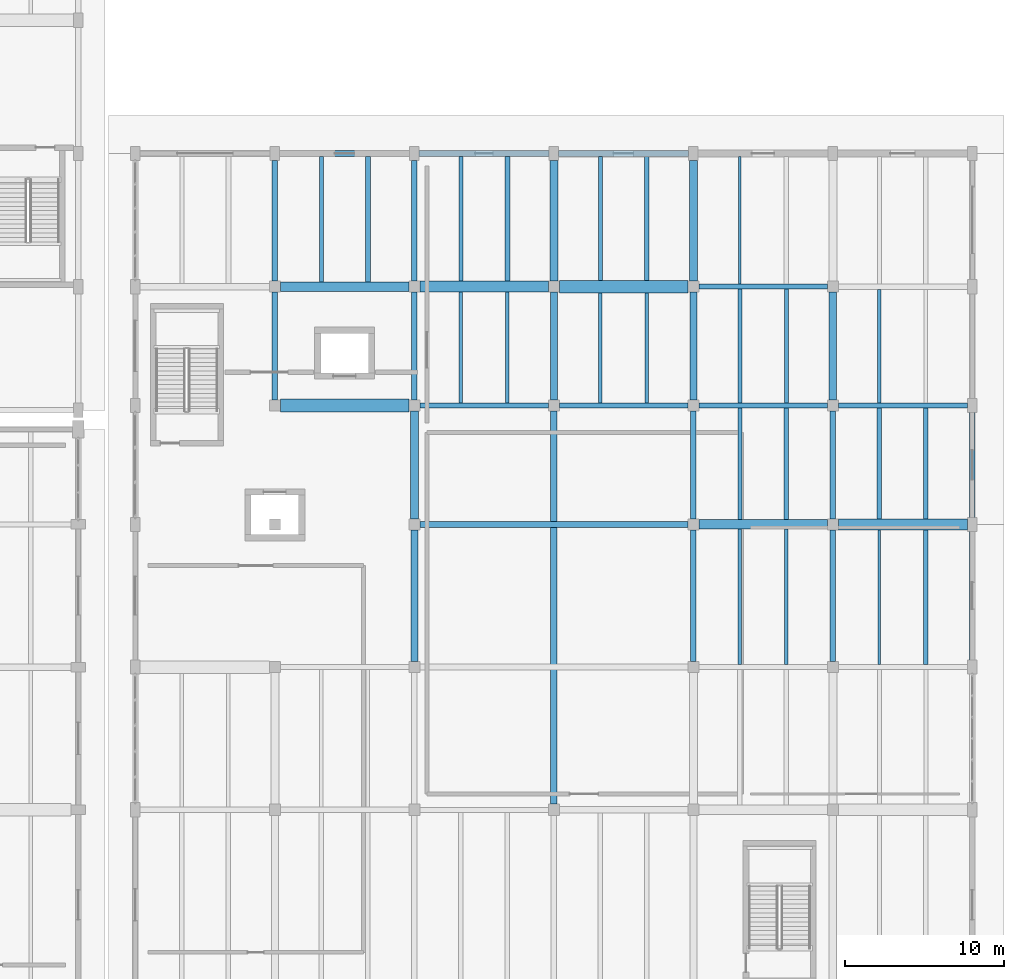
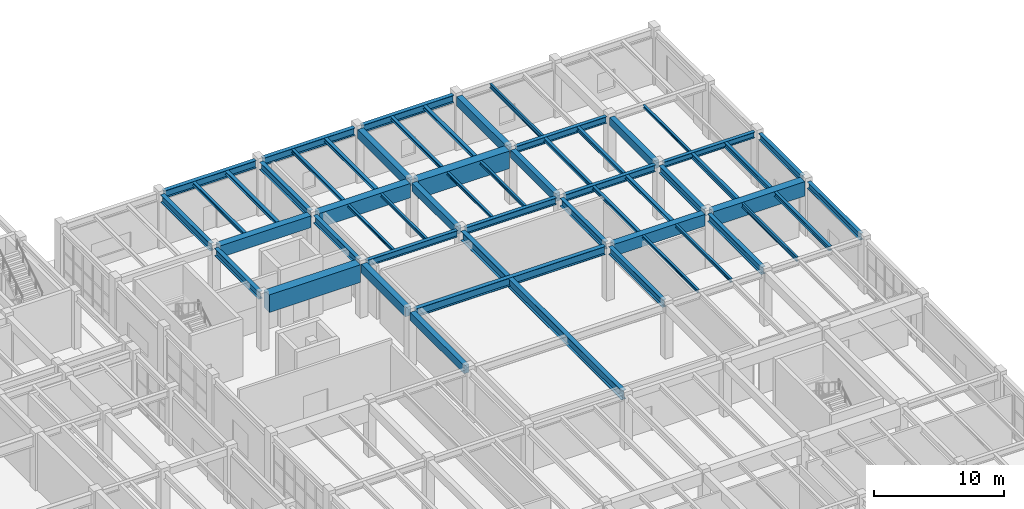
# One storey, part 59 of 91: 55 beams.
"""IFC4 building model written with IfcOpenShell, lengths in metres."""

import ifcopenshell
import ifcopenshell.guid

model = None  # the IFC model being written
_history = None  # IfcOwnerHistory: only IFC2X3 demands one
_inside = {}  # id of a spatial element -> (the spatial element, [elements in it])
_under = {}  # id of a project, library or spatial element -> (it, [spatial elements below it])
_declared = {}  # id of a project -> (the project, [libraries it declares])
_typed = {}  # id of a type object -> (the type object, [elements of that type])
_made_of = {}  # id of a material, layer set ... -> (it, [elements and type objects made of it])


def new_model(schema):
    """Start an empty IFC model of exactly this schema.

    Asked for "IFC4X3", IfcOpenShell would pick the latest addendum, in which some entities
    have other attributes; the version numbers below select the first issue.
    IFC2X3 requires an IfcOwnerHistory on every rooted entity: one is made here for all.
    """
    global model, _history
    if schema == "IFC4X3":
        model = ifcopenshell.file(schema_version=(4, 3, 0, 0))
    else:
        model = ifcopenshell.file(schema=schema)
    _inside.clear()
    _under.clear()
    _declared.clear()
    _typed.clear()
    _made_of.clear()
    _history = None
    if model.schema == "IFC2X3":
        org = make("IfcOrganization", Name="unknown")
        user = make(
            "IfcPersonAndOrganization",
            ThePerson=make("IfcPerson", FamilyName="unknown"),
            TheOrganization=org,
        )
        app = make(
            "IfcApplication",
            ApplicationDeveloper=org,
            Version="unknown",
            ApplicationFullName="unknown",
            ApplicationIdentifier="unknown",
        )
        _history = make(
            "IfcOwnerHistory",
            OwningUser=user,
            OwningApplication=app,
            ChangeAction="ADDED",
            CreationDate=0,
        )
    return model


def make(cls, **values):
    """One entity of the class cls with the attributes given. An attribute that is None is left unset."""
    return model.create_entity(
        cls, **{name: value for name, value in values.items() if value is not None}
    )


def rooted(cls, **values):
    """An entity with a GlobalId (a new one), such as an element, a storey or a relation."""
    return make(cls, GlobalId=ifcopenshell.guid.new(), OwnerHistory=_history, **values)


def si_unit(unit_type, name, prefix=None):
    """IfcSIUnit, for example si_unit("LENGTHUNIT", "METRE", prefix="MILLI")."""
    return make("IfcSIUnit", UnitType=unit_type, Prefix=prefix, Name=name)


def assignment(units):
    """IfcUnitAssignment: the units of a project."""
    return None if units is None else make("IfcUnitAssignment", Units=units)


def point(xyz):
    """IfcCartesianPoint."""
    return None if xyz is None else make("IfcCartesianPoint", Coordinates=xyz)


def direction(xyz):
    """IfcDirection."""
    return None if xyz is None else make("IfcDirection", DirectionRatios=xyz)


def frame(location, z_axis=None, x_axis=None):
    """IfcAxis2Placement3D, a coordinate frame: its origin and axes. An axis left out is left unset."""
    return make(
        "IfcAxis2Placement3D",
        Location=point(location),
        Axis=direction(z_axis),
        RefDirection=direction(x_axis),
    )


def frame_2d(location, x_axis=None):
    """IfcAxis2Placement2D, a coordinate frame in the plane: its origin and x axis."""
    return make(
        "IfcAxis2Placement2D", Location=point(location), RefDirection=direction(x_axis)
    )


def origin():
    """The frame at (0, 0, 0) with its axes left unset."""
    return frame((0.0, 0.0, 0.0))


def origin_2d():
    """The frame at (0, 0) in the plane with its x axis left unset."""
    return frame_2d((0.0, 0.0))


def place(relative_to, where):
    """IfcLocalPlacement: puts the frame where relative to a parent placement (None: the world)."""
    return make(
        "IfcLocalPlacement", PlacementRelTo=relative_to, RelativePlacement=where
    )


def context(
    kind, dimensions, precision=None, world=None, true_north=None, identifier=None
):
    """IfcGeometricRepresentationContext, for example the 3D "Model" context."""
    return make(
        "IfcGeometricRepresentationContext",
        ContextIdentifier=identifier,
        ContextType=kind,
        CoordinateSpaceDimension=dimensions,
        Precision=precision,
        WorldCoordinateSystem=world,
        TrueNorth=true_north,
    )


def subcontext(parent, identifier, kind, view, scale=None):
    """IfcGeometricRepresentationSubContext, for example "Body" below "Model"."""
    return make(
        "IfcGeometricRepresentationSubContext",
        ContextIdentifier=identifier,
        ContextType=kind,
        ParentContext=parent,
        TargetScale=scale,
        TargetView=view,
    )


def project(units=None, contexts=None):
    """IfcProject with its units and contexts."""
    return rooted(
        "IfcProject",
        Name="project",
        RepresentationContexts=contexts,
        UnitsInContext=assignment(units),
    )


def spatial(cls, under=None, at=None, **own):
    """A site, building, storey or space (cls), placed at a placement, below another one or the project."""
    s = rooted(cls, ObjectPlacement=at, **own)
    if under is not None:
        _under.setdefault(under.id(), (under, []))[1].append(s)
    return s


def profile(cls, at=None, kind="AREA", **sizes):
    """A parametric profile (cls). Its sizes go by their IFC names, for example OverallWidth=200.0."""
    return make(cls, ProfileType=kind, Position=at, **sizes)


def rectangle(**sizes):
    """IfcRectangleProfileDef."""
    return profile("IfcRectangleProfileDef", **sizes)


def i_section(**sizes):
    """IfcIShapeProfileDef."""
    return profile("IfcIShapeProfileDef", **sizes)


def extrude(swept, where, along, depth):
    """IfcExtrudedAreaSolid: the profile swept, set in the frame where, extruded along a direction by depth."""
    return make(
        "IfcExtrudedAreaSolid",
        SweptArea=swept,
        Position=where,
        ExtrudedDirection=direction(along),
        Depth=depth,
    )


def shape(context_of_items, identifier, shape_type, items):
    """IfcShapeRepresentation: the items that make up one representation, for example the "Body"."""
    return make(
        "IfcShapeRepresentation",
        ContextOfItems=context_of_items,
        RepresentationIdentifier=identifier,
        RepresentationType=shape_type,
        Items=items,
    )


def material(Name=None, Category=None):
    """IfcMaterial."""
    return make("IfcMaterial", Name=Name, Category=Category)


def material_profile(
    of_material, cross_section, Name=None, Category=None, Priority=None
):
    """IfcMaterialProfile: a cross section and its material."""
    return make(
        "IfcMaterialProfile",
        Name=Name,
        Material=of_material,
        Profile=cross_section,
        Priority=Priority,
        Category=Category,
    )


def profile_set(profiles, Name=None, composite=None):
    """IfcMaterialProfileSet."""
    return make(
        "IfcMaterialProfileSet",
        Name=Name,
        MaterialProfiles=profiles,
        CompositeProfile=composite,
    )


def made_of(thing, what):
    """Note that an element or type object is made of a material, layer set ...; save() writes the relation."""
    if what is not None:
        _made_of.setdefault(what.id(), (what, []))[1].append(thing)
    return thing


def type_object(cls, material=None, **own):
    """A type object (cls), such as IfcWallType, which elements share."""
    return made_of(rooted(cls, **own), material)


def element(
    cls,
    number,
    at=None,
    inside=None,
    cuts=None,
    type_object=None,
    material=None,
    context=None,
    identifier="Body",
    shape_type=None,
    held_by="IfcProductDefinitionShape",
    body=None,
    shapes=None,
    **own,
):
    """One element of the class cls, such as IfcWall. Its Tag is "e" and its number.

    at: its placement. inside: the storey or other place that contains it. cuts: it is an
    opening in that element (IfcRelVoidsElement). A single representation is given by context,
    identifier, shape_type and body (its items); several are given by shapes. held_by: the class
    of the entity that holds the representations. save() writes the other relations.
    """
    e = rooted(cls, Tag="e%d" % number, ObjectPlacement=at, **own)
    if body is not None:
        shapes = [shape(context, identifier, shape_type, body)]
    if shapes is not None:
        e.Representation = make(held_by, Representations=shapes)
    if inside is not None:
        _inside.setdefault(inside.id(), (inside, []))[1].append(e)
    if cuts is not None:
        rooted(
            "IfcRelVoidsElement", RelatingBuildingElement=cuts, RelatedOpeningElement=e
        )
    if type_object is not None:
        _typed.setdefault(type_object.id(), (type_object, []))[1].append(e)
    return made_of(e, material)


def aggregate(whole, parts):
    """IfcRelAggregates: a whole, such as a stair, and the parts it consists of."""
    return rooted("IfcRelAggregates", RelatingObject=whole, RelatedObjects=parts)


def save(model, path):
    """Write the relations noted so far, then the file.

    IfcRelAggregates (storeys below a building ...), IfcRelContainedInSpatialStructure (elements
    in a storey), IfcRelDefinesByType, IfcRelAssociatesMaterial and IfcRelDeclares: one each for
    every whole, place, type object, material and project.
    """
    for whole, parts in _under.values():
        aggregate(whole, parts)
    for where, things in _inside.values():
        rooted(
            "IfcRelContainedInSpatialStructure",
            RelatedElements=things,
            RelatingStructure=where,
        )
    for kind, things in _typed.values():
        rooted("IfcRelDefinesByType", RelatedObjects=things, RelatingType=kind)
    for what, things in _made_of.values():
        rooted("IfcRelAssociatesMaterial", RelatedObjects=things, RelatingMaterial=what)
    for by, libraries in _declared.values():
        rooted("IfcRelDeclares", RelatingContext=by, RelatedDefinitions=libraries)
    model.write(path)


model = new_model("IFC4")

# Units and contexts
model_context = context("Model", 3, precision=1e-05, world=origin(), true_north=direction((0.0, 1.0)))
body_context = subcontext(model_context, "Body", "Model", "MODEL_VIEW")
ifc_project = project(units=[si_unit("LENGTHUNIT", "METRE"), si_unit("AREAUNIT", "SQUARE_METRE"), si_unit("VOLUMEUNIT", "CUBIC_METRE"), si_unit("PLANEANGLEUNIT", "RADIAN"), si_unit("MASSUNIT", "GRAM", prefix="KILO")], contexts=[model_context])

# Site, building, storey
site_placement = place(None, origin())
site = spatial("IfcSite", under=ifc_project, at=site_placement, CompositionType="ELEMENT")
building_placement = place(site_placement, origin())
building = spatial("IfcBuilding", under=site, at=building_placement, Name="Vaelkrest Opera House", CompositionType="ELEMENT")
storey_placement = place(building_placement, origin())
storey = spatial("IfcBuildingStorey", under=building, at=storey_placement, Name="L00", CompositionType="ELEMENT", Elevation=0.0)

# Beams
ifc_material_1 = material(Name="Concrete C50/60", Category="concrete")
ifc_material_profile_1 = material_profile(ifc_material_1, rectangle(XDim=0.449951171875, YDim=0.75, at=origin_2d()), Name="RCB450X750")
ifc_profile_set_1 = profile_set([ifc_material_profile_1], Name="Concrete C50/60")
beam_type_1 = type_object("IfcBeamType", Name="B02", PredefinedType="BEAM", material=ifc_profile_set_1)
beam_1_placement = place(storey_placement, frame((51.199951171875, 1.550048828125, 4.705078125), z_axis=(0.0, 1.0, 0.0), x_axis=(-1.0, 0.0, 0.0)))
element("IfcBeam", 1, at=beam_1_placement, inside=storey, type_object=beam_type_1, Name="Beam BM-V4-L00-2011", PredefinedType="BEAM", context=body_context, shape_type="SweptSolid", body=[
    extrude(rectangle(XDim=0.449951171875, YDim=0.75, at=origin_2d()), origin(), (0.0, 0.0, 1.0), 8.300048828125),
])
for number, where, z_axis, x_axis, name in (
    (2, (60.0, 18.050048828125, 4.705078125), (0.0, 1.0, 0.0), (-1.0, 0.0, 0.0), "Beam BM-V4-L00-2019"),
    (3, (68.800048828125, 18.050048828125, 4.705078125), (0.0, 1.0, 0.0), (-1.0, 0.0, 0.0), "Beam BM-V4-L00-2027"),
    (4, (77.60009765625, 18.050048828125, 4.705078125), (0.0, 1.0, 0.0), (-1.0, 0.0, 0.0), "Beam BM-V4-L00-2035"),
):
    element("IfcBeam", number, at=place(storey_placement, frame(where, z_axis=z_axis, x_axis=x_axis)), inside=storey, type_object=beam_type_1, Name=name, PredefinedType="BEAM", context=body_context, shape_type="SweptSolid", body=[
        extrude(rectangle(XDim=0.449951171875, YDim=0.75, at=origin_2d()), origin(), (0.0, 0.0, 1.0), 6.800048828125),
    ])
ifc_material_profile_2 = material_profile(ifc_material_1, rectangle(XDim=0.5, YDim=0.85009765625, at=origin_2d()), Name="RCB500X850")
ifc_profile_set_2 = profile_set([ifc_material_profile_2], Name="Concrete C50/60")
beam_type_2 = type_object("IfcBeamType", Name="B03", PredefinedType="BEAM", material=ifc_profile_set_2)
beam_2_placement = place(storey_placement, frame((51.199951171875, 10.550048828125, 4.655029296875), z_axis=(0.0, 1.0, 0.0), x_axis=(-1.0, 0.0, 0.0)))
element("IfcBeam", 5, at=beam_2_placement, inside=storey, type_object=beam_type_2, Name="Beam BM-V4-L00-2012", PredefinedType="BEAM", context=body_context, shape_type="SweptSolid", body=[
    extrude(rectangle(XDim=0.5, YDim=0.85009765625, at=origin_2d()), origin(), (0.0, 0.0, 1.0), 6.800048828125),
])
for number, where, z_axis, x_axis, name in (
    (6, (60.0, 25.550048828125, 4.655029296875), (0.0, 1.0, 0.0), (-1.0, 0.0, 0.0), "Beam BM-V4-L00-2020"),
    (7, (68.800048828125, 25.550048828125, 4.655029296875), (0.0, 1.0, 0.0), (-1.0, 0.0, 0.0), "Beam BM-V4-L00-2028"),
):
    element("IfcBeam", number, at=place(storey_placement, frame(where, z_axis=z_axis, x_axis=x_axis)), inside=storey, type_object=beam_type_2, Name=name, PredefinedType="BEAM", context=body_context, shape_type="SweptSolid", body=[
        extrude(rectangle(XDim=0.5, YDim=0.85009765625, at=origin_2d()), origin(), (0.0, 0.0, 1.0), 7.599853515625),
    ])
ifc_material_profile_3 = material_profile(ifc_material_1, rectangle(XDim=0.60009765625, YDim=1.10009765625, at=origin_2d()), Name="RCB600X1100")
ifc_profile_set_3 = profile_set([ifc_material_profile_3], Name="Concrete C50/60")
beam_type_3 = type_object("IfcBeamType", Name="B05", PredefinedType="BEAM", material=ifc_profile_set_3)
for number, where, z_axis, x_axis, name in (
    (8, (69.14990234375, 10.199951171875, 4.530029296875), (1.0, 0.0, 0.0), (0.0, 1.0, 0.0), "Beam BM-V4-L00-1974"),
    (9, (42.75, 25.199951171875, 4.530029296875), (1.0, 0.0, 0.0), (0.0, 1.0, 0.0), "Beam BM-V4-L00-1982"),
):
    element("IfcBeam", number, at=place(storey_placement, frame(where, z_axis=z_axis, x_axis=x_axis)), inside=storey, type_object=beam_type_3, Name=name, PredefinedType="BEAM", context=body_context, shape_type="SweptSolid", body=[
        extrude(rectangle(XDim=0.60009765625, YDim=1.10009765625, at=origin_2d()), origin(), (0.0, 0.0, 1.0), 8.10009765625),
    ])
ifc_material_profile_4 = material_profile(ifc_material_1, rectangle(XDim=0.699951171875, YDim=1.35009765625, at=origin_2d()), Name="RCB700X1350")
ifc_profile_set_4 = profile_set([ifc_material_profile_4], Name="Concrete C50/60")
beam_type_4 = type_object("IfcBeamType", Name="B06", PredefinedType="BEAM", material=ifc_profile_set_4)
beam_3_placement = place(storey_placement, frame((77.949951171875, 10.199951171875, 4.405029296875), z_axis=(1.0, 0.0, 0.0), x_axis=(0.0, 1.0, 0.0)))
element("IfcBeam", 10, at=beam_3_placement, inside=storey, type_object=beam_type_4, Name="Beam BM-V4-L00-1975", PredefinedType="BEAM", context=body_context, shape_type="SweptSolid", body=[
    extrude(rectangle(XDim=0.699951171875, YDim=1.35009765625, at=origin_2d()), origin(), (0.0, 0.0, 1.0), 8.150146484375),
])
beam_4_placement = place(storey_placement, frame((51.550048828125, 25.199951171875, 4.405029296875), z_axis=(1.0, 0.0, 0.0), x_axis=(0.0, 1.0, 0.0)))
element("IfcBeam", 11, at=beam_4_placement, inside=storey, type_object=beam_type_4, Name="Beam BM-V4-L00-1983", PredefinedType="BEAM", context=body_context, shape_type="SweptSolid", body=[
    extrude(rectangle(XDim=0.699951171875, YDim=1.35009765625, at=origin_2d()), origin(), (0.0, 0.0, 1.0), 8.099853515625),
])
ifc_material_profile_5 = material_profile(ifc_material_1, rectangle(XDim=0.800048828125, YDim=1.64990234375, at=origin_2d()), Name="RCB800X1650")
ifc_profile_set_5 = profile_set([ifc_material_profile_5], Name="Concrete C50/60")
beam_type_5 = type_object("IfcBeamType", Name="B07", PredefinedType="BEAM", material=ifc_profile_set_5)
beam_5_placement = place(storey_placement, frame((42.75, 17.699951171875, 4.2548828125), z_axis=(1.0, 0.0, 0.0), x_axis=(0.0, 1.0, 0.0)))
element("IfcBeam", 12, at=beam_5_placement, inside=storey, type_object=beam_type_5, Name="Beam BM-V4-L00-1976", PredefinedType="BEAM", context=body_context, shape_type="SweptSolid", body=[
    extrude(rectangle(XDim=0.800048828125, YDim=1.64990234375, at=origin_2d()), origin(), (0.0, 0.0, 1.0), 8.10009765625),
])
beam_6_placement = place(storey_placement, frame((60.35009765625, 25.199951171875, 4.2548828125), z_axis=(1.0, 0.0, 0.0), x_axis=(0.0, 1.0, 0.0)))
element("IfcBeam", 13, at=beam_6_placement, inside=storey, type_object=beam_type_5, Name="Beam BM-V4-L00-1984", PredefinedType="BEAM", context=body_context, shape_type="SweptSolid", body=[
    extrude(rectangle(XDim=0.800048828125, YDim=1.64990234375, at=origin_2d()), origin(), (0.0, 0.0, 1.0), 8.099853515625),
])
ifc_material_2 = material(Name="Steel A992 Gr50", Category="steel")
ifc_material_profile_6 = material_profile(ifc_material_2, i_section(OverallWidth=0.323974609375, OverallDepth=0.611083984375, WebThickness=0.0126953125, FlangeThickness=0.01904296875, at=origin_2d()), Name="W24X104")
ifc_profile_set_6 = profile_set([ifc_material_profile_6], Name="Steel A992 Gr50")
beam_type_6 = type_object("IfcBeamType", Name="B08", PredefinedType="BEAM", material=ifc_profile_set_6)
beam_7_placement = place(storey_placement, frame((51.550048828125, 17.699951171875, 4.7744140625), z_axis=(1.0, 0.0, 0.0), x_axis=(0.0, 1.0, 0.0)))
element("IfcBeam", 14, at=beam_7_placement, inside=storey, type_object=beam_type_6, Name="Beam BM-V4-L00-1977", PredefinedType="BEAM", context=body_context, shape_type="SweptSolid", body=[
    extrude(i_section(OverallWidth=0.323974609375, OverallDepth=0.611083984375, WebThickness=0.0126953125, FlangeThickness=0.01904296875, at=origin_2d()), origin(), (0.0, 0.0, 1.0), 8.099853515625),
])
beam_8_placement = place(storey_placement, frame((69.14990234375, 25.199951171875, 4.7744140625), z_axis=(1.0, 0.0, 0.0), x_axis=(0.0, 1.0, 0.0)))
element("IfcBeam", 15, at=beam_8_placement, inside=storey, type_object=beam_type_6, Name="Beam BM-V4-L00-1985", PredefinedType="BEAM", context=body_context, shape_type="SweptSolid", body=[
    extrude(i_section(OverallWidth=0.323974609375, OverallDepth=0.611083984375, WebThickness=0.0126953125, FlangeThickness=0.01904296875, at=origin_2d()), origin(), (0.0, 0.0, 1.0), 8.10009765625),
])
ifc_material_profile_7 = material_profile(ifc_material_2, i_section(OverallWidth=0.327880859375, OverallDepth=0.6279296875, WebThickness=0.0166015625, FlangeThickness=0.027587890625, at=origin_2d()), Name="W24X146")
ifc_profile_set_7 = profile_set([ifc_material_profile_7], Name="Steel A992 Gr50")
beam_type_7 = type_object("IfcBeamType", Name="B09", PredefinedType="BEAM", material=ifc_profile_set_7)
beam_9_placement = place(storey_placement, frame((60.35009765625, 17.699951171875, 4.76611328125), z_axis=(1.0, 0.0, 0.0), x_axis=(0.0, 1.0, 0.0)))
element("IfcBeam", 16, at=beam_9_placement, inside=storey, type_object=beam_type_7, Name="Beam BM-V4-L00-1978", PredefinedType="BEAM", context=body_context, shape_type="SweptSolid", body=[
    extrude(i_section(OverallWidth=0.327880859375, OverallDepth=0.6279296875, WebThickness=0.0166015625, FlangeThickness=0.027587890625, at=origin_2d()), origin(), (0.0, 0.0, 1.0), 8.099853515625),
])
ifc_material_profile_8 = material_profile(ifc_material_2, i_section(OverallWidth=0.35498046875, OverallDepth=0.695068359375, WebThickness=0.015380859375, FlangeThickness=0.02490234375, at=origin_2d()), Name="W27X146")
ifc_profile_set_8 = profile_set([ifc_material_profile_8], Name="Steel A992 Gr50")
beam_type_8 = type_object("IfcBeamType", Name="B10", PredefinedType="BEAM", material=ifc_profile_set_8)
for number, where, z_axis, x_axis, name in (
    (17, (42.39990234375, 18.050048828125, 4.732421875), (0.0, 1.0, 0.0), (-1.0, 0.0, 0.0), "Beam BM-V4-L00-2005"),
    (18, (51.199951171875, 18.050048828125, 4.732421875), (0.0, 1.0, 0.0), (-1.0, 0.0, 0.0), "Beam BM-V4-L00-2013"),
):
    element("IfcBeam", number, at=place(storey_placement, frame(where, z_axis=z_axis, x_axis=x_axis)), inside=storey, type_object=beam_type_8, Name=name, PredefinedType="BEAM", context=body_context, shape_type="SweptSolid", body=[
        extrude(i_section(OverallWidth=0.35498046875, OverallDepth=0.695068359375, WebThickness=0.015380859375, FlangeThickness=0.02490234375, at=origin_2d()), origin(), (0.0, 0.0, 1.0), 6.800048828125),
    ])
for number, where, z_axis, x_axis, name in (
    (19, (68.800048828125, 1.550048828125, 4.732421875), (0.0, 1.0, 0.0), (-1.0, 0.0, 0.0), "Beam BM-V4-L00-2025"),
    (20, (77.60009765625, 1.550048828125, 4.732421875), (0.0, 1.0, 0.0), (-1.0, 0.0, 0.0), "Beam BM-V4-L00-2033"),
):
    element("IfcBeam", number, at=place(storey_placement, frame(where, z_axis=z_axis, x_axis=x_axis)), inside=storey, type_object=beam_type_8, Name=name, PredefinedType="BEAM", context=body_context, shape_type="SweptSolid", body=[
        extrude(i_section(OverallWidth=0.35498046875, OverallDepth=0.695068359375, WebThickness=0.015380859375, FlangeThickness=0.02490234375, at=origin_2d()), origin(), (0.0, 0.0, 1.0), 8.300048828125),
    ])
ifc_material_profile_9 = material_profile(ifc_material_2, i_section(OverallWidth=0.381103515625, OverallDepth=0.77294921875, WebThickness=0.0166015625, FlangeThickness=0.027099609375, at=origin_2d()), Name="W30X173")
ifc_profile_set_9 = profile_set([ifc_material_profile_9], Name="Steel A992 Gr50")
beam_type_9 = type_object("IfcBeamType", Name="B11", PredefinedType="BEAM", material=ifc_profile_set_9)
beam_10_placement = place(storey_placement, frame((51.550048828125, 10.199951171875, 4.693603515625), z_axis=(1.0, 0.0, 0.0), x_axis=(0.0, 1.0, 0.0)))
element("IfcBeam", 21, at=beam_10_placement, inside=storey, type_object=beam_type_9, Name="Beam BM-V4-L00-1973", PredefinedType="BEAM", context=body_context, shape_type="SweptSolid", body=[
    extrude(i_section(OverallWidth=0.381103515625, OverallDepth=0.77294921875, WebThickness=0.0166015625, FlangeThickness=0.027099609375, at=origin_2d()), origin(), (0.0, 0.0, 1.0), 16.89990234375),
])
ifc_material_profile_10 = material_profile(ifc_material_2, i_section(OverallWidth=0.39892578125, OverallDepth=0.85498046875, WebThickness=0.018310546875, FlangeThickness=0.029296875, at=origin_2d()), Name="W33X201")
ifc_profile_set_10 = profile_set([ifc_material_profile_10], Name="Steel A992 Gr50")
beam_type_10 = type_object("IfcBeamType", Name="B12", PredefinedType="BEAM", material=ifc_profile_set_10)
beam_11_placement = place(storey_placement, frame((60.0, -7.449951171875, 4.652587890625), z_axis=(0.0, 1.0, 0.0), x_axis=(-1.0, 0.0, 0.0)))
element("IfcBeam", 22, at=beam_11_placement, inside=storey, type_object=beam_type_10, Name="Beam BM-V4-L00-2018", PredefinedType="BEAM", context=body_context, shape_type="SweptSolid", body=[
    extrude(i_section(OverallWidth=0.39892578125, OverallDepth=0.85498046875, WebThickness=0.018310546875, FlangeThickness=0.029296875, at=origin_2d()), origin(), (0.0, 0.0, 1.0), 24.800048828125),
])
ifc_material_profile_11 = material_profile(ifc_material_2, i_section(OverallWidth=0.35791015625, OverallDepth=0.7060546875, WebThickness=0.018310546875, FlangeThickness=0.0302734375, at=origin_2d()), Name="W27X178")
ifc_profile_set_11 = profile_set([ifc_material_profile_11], Name="Steel A992 Gr50")
beam_type_11 = type_object("IfcBeamType", Name="B14", PredefinedType="BEAM", material=ifc_profile_set_11)
for number, where, z_axis, x_axis, name in (
    (23, (42.39990234375, 25.550048828125, 4.72705078125), (0.0, 1.0, 0.0), (-1.0, 0.0, 0.0), "Beam BM-V4-L00-2006"),
    (24, (51.199951171875, 25.550048828125, 4.72705078125), (0.0, 1.0, 0.0), (-1.0, 0.0, 0.0), "Beam BM-V4-L00-2014"),
):
    element("IfcBeam", number, at=place(storey_placement, frame(where, z_axis=z_axis, x_axis=x_axis)), inside=storey, type_object=beam_type_11, Name=name, PredefinedType="BEAM", context=body_context, shape_type="SweptSolid", body=[
        extrude(i_section(OverallWidth=0.35791015625, OverallDepth=0.7060546875, WebThickness=0.018310546875, FlangeThickness=0.0302734375, at=origin_2d()), origin(), (0.0, 0.0, 1.0), 7.599853515625),
    ])
for number, where, z_axis, x_axis, name in (
    (25, (68.800048828125, 10.550048828125, 4.72705078125), (0.0, 1.0, 0.0), (-1.0, 0.0, 0.0), "Beam BM-V4-L00-2026"),
    (26, (77.60009765625, 10.550048828125, 4.72705078125), (0.0, 1.0, 0.0), (-1.0, 0.0, 0.0), "Beam BM-V4-L00-2034"),
):
    element("IfcBeam", number, at=place(storey_placement, frame(where, z_axis=z_axis, x_axis=x_axis)), inside=storey, type_object=beam_type_11, Name=name, PredefinedType="BEAM", context=body_context, shape_type="SweptSolid", body=[
        extrude(i_section(OverallWidth=0.35791015625, OverallDepth=0.7060546875, WebThickness=0.018310546875, FlangeThickness=0.0302734375, at=origin_2d()), origin(), (0.0, 0.0, 1.0), 6.800048828125),
    ])
ifc_material_profile_12 = material_profile(ifc_material_2, i_section(OverallWidth=0.326904296875, OverallDepth=0.6220703125, WebThickness=0.015380859375, FlangeThickness=0.0244140625, at=origin_2d()), Name="W24X131")
ifc_profile_set_12 = profile_set([ifc_material_profile_12], Name="Steel A992 Gr50")
beam_type_12 = type_object("IfcBeamType", Name="B19", PredefinedType="BEAM", material=ifc_profile_set_12)
beam_12_placement = place(storey_placement, frame((69.14990234375, 17.699951171875, 4.76904296875), z_axis=(1.0, 0.0, 0.0), x_axis=(0.0, 1.0, 0.0)))
element("IfcBeam", 27, at=beam_12_placement, inside=storey, type_object=beam_type_12, Name="Beam BM-V4-L00-1979", PredefinedType="BEAM", context=body_context, shape_type="SweptSolid", body=[
    extrude(i_section(OverallWidth=0.326904296875, OverallDepth=0.6220703125, WebThickness=0.015380859375, FlangeThickness=0.0244140625, at=origin_2d()), origin(), (0.0, 0.0, 1.0), 8.10009765625),
])
ifc_material_profile_13 = material_profile(ifc_material_2, i_section(OverallWidth=0.31494140625, OverallDepth=0.551025390625, WebThickness=0.01513671875, FlangeThickness=0.0244140625, at=origin_2d()), Name="W21X122")
ifc_profile_set_13 = profile_set([ifc_material_profile_13], Name="Steel A992 Gr50")
beam_type_13 = type_object("IfcBeamType", Name="B20", PredefinedType="BEAM", material=ifc_profile_set_13)
beam_13_placement = place(storey_placement, frame((77.949951171875, 17.699951171875, 4.804443359375), z_axis=(1.0, 0.0, 0.0), x_axis=(0.0, 1.0, 0.0)))
element("IfcBeam", 28, at=beam_13_placement, inside=storey, type_object=beam_type_13, Name="Beam BM-V4-L00-1980", PredefinedType="BEAM", context=body_context, shape_type="SweptSolid", body=[
    extrude(i_section(OverallWidth=0.31494140625, OverallDepth=0.551025390625, WebThickness=0.01513671875, FlangeThickness=0.0244140625, at=origin_2d()), origin(), (0.0, 0.0, 1.0), 8.150146484375),
])
ifc_material_profile_14 = material_profile(ifc_material_2, i_section(OverallWidth=0.2041015625, OverallDepth=0.257080078125, WebThickness=0.0087890625, FlangeThickness=0.015625, at=origin_2d()), Name="W10X45")
ifc_profile_set_14 = profile_set([ifc_material_profile_14], Name="Steel A992 Gr50")
beam_type_14 = type_object("IfcBeamType", Name="J01", PredefinedType="JOIST", material=ifc_profile_set_14)
beam_14_placement = place(storey_placement, frame((54.133056640625, 17.862060546875, 4.951416015625), z_axis=(0.0, 1.0, 0.0), x_axis=(-1.0, 0.0, 0.0)))
element("IfcBeam", 29, at=beam_14_placement, inside=storey, type_object=beam_type_14, Name="Floor joist JST-V4-L00-2071", PredefinedType="JOIST", context=body_context, shape_type="SweptSolid", body=[
    extrude(i_section(OverallWidth=0.2041015625, OverallDepth=0.257080078125, WebThickness=0.0087890625, FlangeThickness=0.015625, at=origin_2d()), origin(), (0.0, 0.0, 1.0), 6.988037109375),
])
beam_15_placement = place(storey_placement, frame((62.93310546875, 17.864013671875, 4.951416015625), z_axis=(0.0, 1.0, 0.0), x_axis=(-1.0, 0.0, 0.0)))
element("IfcBeam", 30, at=beam_15_placement, inside=storey, type_object=beam_type_14, Name="Floor joist JST-V4-L00-2081", PredefinedType="JOIST", context=body_context, shape_type="SweptSolid", body=[
    extrude(i_section(OverallWidth=0.2041015625, OverallDepth=0.257080078125, WebThickness=0.0087890625, FlangeThickness=0.015625, at=origin_2d()), origin(), (0.0, 0.0, 1.0), 6.93603515625),
])
beam_16_placement = place(storey_placement, frame((71.73291015625, 1.363525390625, 4.951416015625), z_axis=(0.0, 1.0, 0.0), x_axis=(-1.0, 0.0, 0.0)))
element("IfcBeam", 31, at=beam_16_placement, inside=storey, type_object=beam_type_14, Name="Floor joist JST-V4-L00-2091", PredefinedType="JOIST", context=body_context, shape_type="SweptSolid", body=[
    extrude(i_section(OverallWidth=0.2041015625, OverallDepth=0.257080078125, WebThickness=0.0087890625, FlangeThickness=0.015625, at=origin_2d()), origin(), (0.0, 0.0, 1.0), 8.536376953125),
])
beam_17_placement = place(storey_placement, frame((80.532958984375, 17.857421875, 4.951416015625), z_axis=(0.0, 1.0, 0.0), x_axis=(-1.0, 0.0, 0.0)))
element("IfcBeam", 32, at=beam_17_placement, inside=storey, type_object=beam_type_14, Name="Floor joist JST-V4-L00-2111", PredefinedType="JOIST", context=body_context, shape_type="SweptSolid", body=[
    extrude(i_section(OverallWidth=0.2041015625, OverallDepth=0.257080078125, WebThickness=0.0087890625, FlangeThickness=0.015625, at=origin_2d()), origin(), (0.0, 0.0, 1.0), 7.178466796875),
])
ifc_material_profile_15 = material_profile(ifc_material_2, i_section(OverallWidth=0.202880859375, OverallDepth=0.302978515625, WebThickness=0.007568359375, FlangeThickness=0.01318359375, at=origin_2d()), Name="W12X40")
ifc_profile_set_15 = profile_set([ifc_material_profile_15], Name="Steel A992 Gr50")
beam_type_15 = type_object("IfcBeamType", Name="J02", PredefinedType="JOIST", material=ifc_profile_set_15)
beam_18_placement = place(storey_placement, frame((57.06689453125, 17.862060546875, 4.928466796875), z_axis=(0.0, 1.0, 0.0), x_axis=(-1.0, 0.0, 0.0)))
element("IfcBeam", 33, at=beam_18_placement, inside=storey, type_object=beam_type_15, Name="Floor joist JST-V4-L00-2072", PredefinedType="JOIST", context=body_context, shape_type="SweptSolid", body=[
    extrude(i_section(OverallWidth=0.202880859375, OverallDepth=0.302978515625, WebThickness=0.007568359375, FlangeThickness=0.01318359375, at=origin_2d()), origin(), (0.0, 0.0, 1.0), 6.988037109375),
])
beam_19_placement = place(storey_placement, frame((65.866943359375, 17.864013671875, 4.928466796875), z_axis=(0.0, 1.0, 0.0), x_axis=(-1.0, 0.0, 0.0)))
element("IfcBeam", 34, at=beam_19_placement, inside=storey, type_object=beam_type_15, Name="Floor joist JST-V4-L00-2082", PredefinedType="JOIST", context=body_context, shape_type="SweptSolid", body=[
    extrude(i_section(OverallWidth=0.202880859375, OverallDepth=0.302978515625, WebThickness=0.007568359375, FlangeThickness=0.01318359375, at=origin_2d()), origin(), (0.0, 0.0, 1.0), 6.93603515625),
])
beam_20_placement = place(storey_placement, frame((74.6669921875, 1.363525390625, 4.928466796875), z_axis=(0.0, 1.0, 0.0), x_axis=(-1.0, 0.0, 0.0)))
element("IfcBeam", 35, at=beam_20_placement, inside=storey, type_object=beam_type_15, Name="Floor joist JST-V4-L00-2092", PredefinedType="JOIST", context=body_context, shape_type="SweptSolid", body=[
    extrude(i_section(OverallWidth=0.202880859375, OverallDepth=0.302978515625, WebThickness=0.007568359375, FlangeThickness=0.01318359375, at=origin_2d()), origin(), (0.0, 0.0, 1.0), 8.536376953125),
])
ifc_material_profile_16 = material_profile(ifc_material_2, i_section(OverallWidth=0.25390625, OverallDepth=0.305908203125, WebThickness=0.0087890625, FlangeThickness=0.0146484375, at=origin_2d()), Name="W12X53")
ifc_profile_set_16 = profile_set([ifc_material_profile_16], Name="Steel A992 Gr50")
beam_type_16 = type_object("IfcBeamType", Name="J03", PredefinedType="JOIST", material=ifc_profile_set_16)
beam_21_placement = place(storey_placement, frame((45.3330078125, 25.5, 4.927001953125), z_axis=(0.0, 1.0, 0.0), x_axis=(-1.0, 0.0, 0.0)))
element("IfcBeam", 36, at=beam_21_placement, inside=storey, type_object=beam_type_16, Name="Floor joist JST-V4-L00-2063", PredefinedType="JOIST", context=body_context, shape_type="SweptSolid", body=[
    extrude(i_section(OverallWidth=0.25390625, OverallDepth=0.305908203125, WebThickness=0.0087890625, FlangeThickness=0.0146484375, at=origin_2d()), origin(), (0.0, 0.0, 1.0), 7.922607421875),
])
beam_22_placement = place(storey_placement, frame((54.133056640625, 25.550048828125, 4.927001953125), z_axis=(0.0, 1.0, 0.0), x_axis=(-1.0, 0.0, 0.0)))
element("IfcBeam", 37, at=beam_22_placement, inside=storey, type_object=beam_type_16, Name="Floor joist JST-V4-L00-2073", PredefinedType="JOIST", context=body_context, shape_type="SweptSolid", body=[
    extrude(i_section(OverallWidth=0.25390625, OverallDepth=0.305908203125, WebThickness=0.0087890625, FlangeThickness=0.0146484375, at=origin_2d()), origin(), (0.0, 0.0, 1.0), 7.87255859375),
])
beam_23_placement = place(storey_placement, frame((62.93310546875, 25.60009765625, 4.927001953125), z_axis=(0.0, 1.0, 0.0), x_axis=(-1.0, 0.0, 0.0)))
element("IfcBeam", 38, at=beam_23_placement, inside=storey, type_object=beam_type_16, Name="Floor joist JST-V4-L00-2083", PredefinedType="JOIST", context=body_context, shape_type="SweptSolid", body=[
    extrude(i_section(OverallWidth=0.25390625, OverallDepth=0.305908203125, WebThickness=0.0087890625, FlangeThickness=0.0146484375, at=origin_2d()), origin(), (0.0, 0.0, 1.0), 7.822509765625),
])
beam_24_placement = place(storey_placement, frame((71.73291015625, 10.5, 4.927001953125), z_axis=(0.0, 1.0, 0.0), x_axis=(-1.0, 0.0, 0.0)))
element("IfcBeam", 39, at=beam_24_placement, inside=storey, type_object=beam_type_16, Name="Floor joist JST-V4-L00-2093", PredefinedType="JOIST", context=body_context, shape_type="SweptSolid", body=[
    extrude(i_section(OverallWidth=0.25390625, OverallDepth=0.305908203125, WebThickness=0.0087890625, FlangeThickness=0.0146484375, at=origin_2d()), origin(), (0.0, 0.0, 1.0), 7.03662109375),
])
ifc_material_profile_17 = material_profile(ifc_material_2, i_section(OverallWidth=0.304931640625, OverallDepth=0.30810546875, WebThickness=0.010009765625, FlangeThickness=0.015380859375, at=origin_2d()), Name="W12X65")
ifc_profile_set_17 = profile_set([ifc_material_profile_17], Name="Steel A992 Gr50")
beam_type_17 = type_object("IfcBeamType", Name="J04", PredefinedType="JOIST", material=ifc_profile_set_17)
beam_25_placement = place(storey_placement, frame((48.26708984375, 25.5, 4.926025390625), z_axis=(0.0, 1.0, 0.0), x_axis=(-1.0, 0.0, 0.0)))
element("IfcBeam", 40, at=beam_25_placement, inside=storey, type_object=beam_type_17, Name="Floor joist JST-V4-L00-2064", PredefinedType="JOIST", context=body_context, shape_type="SweptSolid", body=[
    extrude(i_section(OverallWidth=0.304931640625, OverallDepth=0.30810546875, WebThickness=0.010009765625, FlangeThickness=0.015380859375, at=origin_2d()), origin(), (0.0, 0.0, 1.0), 7.922607421875),
])
beam_26_placement = place(storey_placement, frame((57.06689453125, 25.550048828125, 4.926025390625), z_axis=(0.0, 1.0, 0.0), x_axis=(-1.0, 0.0, 0.0)))
element("IfcBeam", 41, at=beam_26_placement, inside=storey, type_object=beam_type_17, Name="Floor joist JST-V4-L00-2074", PredefinedType="JOIST", context=body_context, shape_type="SweptSolid", body=[
    extrude(i_section(OverallWidth=0.304931640625, OverallDepth=0.30810546875, WebThickness=0.010009765625, FlangeThickness=0.015380859375, at=origin_2d()), origin(), (0.0, 0.0, 1.0), 7.87255859375),
])
beam_27_placement = place(storey_placement, frame((65.866943359375, 25.60009765625, 4.926025390625), z_axis=(0.0, 1.0, 0.0), x_axis=(-1.0, 0.0, 0.0)))
element("IfcBeam", 42, at=beam_27_placement, inside=storey, type_object=beam_type_17, Name="Floor joist JST-V4-L00-2084", PredefinedType="JOIST", context=body_context, shape_type="SweptSolid", body=[
    extrude(i_section(OverallWidth=0.304931640625, OverallDepth=0.30810546875, WebThickness=0.010009765625, FlangeThickness=0.015380859375, at=origin_2d()), origin(), (0.0, 0.0, 1.0), 7.822509765625),
])
beam_28_placement = place(storey_placement, frame((74.6669921875, 10.5, 4.926025390625), z_axis=(0.0, 1.0, 0.0), x_axis=(-1.0, 0.0, 0.0)))
element("IfcBeam", 43, at=beam_28_placement, inside=storey, type_object=beam_type_17, Name="Floor joist JST-V4-L00-2094", PredefinedType="JOIST", context=body_context, shape_type="SweptSolid", body=[
    extrude(i_section(OverallWidth=0.304931640625, OverallDepth=0.30810546875, WebThickness=0.010009765625, FlangeThickness=0.015380859375, at=origin_2d()), origin(), (0.0, 0.0, 1.0), 7.03662109375),
])
ifc_material_profile_18 = material_profile(ifc_material_2, i_section(OverallWidth=0.2548828125, OverallDepth=0.35693359375, WebThickness=0.010498046875, FlangeThickness=0.018310546875, at=origin_2d()), Name="W14X68")
ifc_profile_set_18 = profile_set([ifc_material_profile_18], Name="Steel A992 Gr50")
beam_type_18 = type_object("IfcBeamType", Name="J05", PredefinedType="JOIST", material=ifc_profile_set_18)
beam_29_placement = place(storey_placement, frame((71.73291015625, 17.863525390625, 4.901611328125), z_axis=(0.0, 1.0, 0.0), x_axis=(-1.0, 0.0, 0.0)))
element("IfcBeam", 44, at=beam_29_placement, inside=storey, type_object=beam_type_18, Name="Floor joist JST-V4-L00-2095", PredefinedType="JOIST", context=body_context, shape_type="SweptSolid", body=[
    extrude(i_section(OverallWidth=0.2548828125, OverallDepth=0.35693359375, WebThickness=0.010498046875, FlangeThickness=0.018310546875, at=origin_2d()), origin(), (0.0, 0.0, 1.0), 7.174560546875),
])
ifc_material_profile_19 = material_profile(ifc_material_2, i_section(OverallWidth=0.257080078125, OverallDepth=0.363037109375, WebThickness=0.012939453125, FlangeThickness=0.021728515625, at=origin_2d()), Name="W14X82")
ifc_profile_set_19 = profile_set([ifc_material_profile_19], Name="Steel A992 Gr50")
beam_type_19 = type_object("IfcBeamType", Name="J06", PredefinedType="JOIST", material=ifc_profile_set_19)
beam_30_placement = place(storey_placement, frame((74.6669921875, 17.863525390625, 4.8984375), z_axis=(0.0, 1.0, 0.0), x_axis=(-1.0, 0.0, 0.0)))
element("IfcBeam", 45, at=beam_30_placement, inside=storey, type_object=beam_type_19, Name="Floor joist JST-V4-L00-2096", PredefinedType="JOIST", context=body_context, shape_type="SweptSolid", body=[
    extrude(i_section(OverallWidth=0.257080078125, OverallDepth=0.363037109375, WebThickness=0.012939453125, FlangeThickness=0.021728515625, at=origin_2d()), origin(), (0.0, 0.0, 1.0), 7.174560546875),
])
ifc_material_profile_20 = material_profile(ifc_material_2, i_section(OverallWidth=0.180908203125, OverallDepth=0.4169921875, WebThickness=0.010986328125, FlangeThickness=0.018310546875, at=origin_2d()), Name="W16X57")
ifc_profile_set_20 = profile_set([ifc_material_profile_20], Name="Steel A992 Gr50")
beam_type_20 = type_object("IfcBeamType", Name="J07", PredefinedType="JOIST", material=ifc_profile_set_20)
beam_31_placement = place(storey_placement, frame((71.73291015625, 25.362060546875, 4.87158203125), z_axis=(0.0, 1.0, 0.0), x_axis=(-1.0, 0.0, 0.0)))
element("IfcBeam", 46, at=beam_31_placement, inside=storey, type_object=beam_type_20, Name="Floor joist JST-V4-L00-2097", PredefinedType="JOIST", context=body_context, shape_type="SweptSolid", body=[
    extrude(i_section(OverallWidth=0.180908203125, OverallDepth=0.4169921875, WebThickness=0.010986328125, FlangeThickness=0.018310546875, at=origin_2d()), origin(), (0.0, 0.0, 1.0), 8.060546875),
])
beam_32_placement = place(storey_placement, frame((80.532958984375, 1.357421875, 4.87158203125), z_axis=(0.0, 1.0, 0.0), x_axis=(-1.0, 0.0, 0.0)))
element("IfcBeam", 47, at=beam_32_placement, inside=storey, type_object=beam_type_20, Name="Floor joist JST-V4-L00-2107", PredefinedType="JOIST", context=body_context, shape_type="SweptSolid", body=[
    extrude(i_section(OverallWidth=0.180908203125, OverallDepth=0.4169921875, WebThickness=0.010986328125, FlangeThickness=0.018310546875, at=origin_2d()), origin(), (0.0, 0.0, 1.0), 8.49267578125),
])
ifc_material_profile_21 = material_profile(ifc_material_2, i_section(OverallWidth=0.261962890625, OverallDepth=0.4189453125, WebThickness=0.01171875, FlangeThickness=0.019287109375, at=origin_2d()), Name="W16X77")
ifc_profile_set_21 = profile_set([ifc_material_profile_21], Name="Steel A992 Gr50")
beam_type_21 = type_object("IfcBeamType", Name="J08", PredefinedType="JOIST", material=ifc_profile_set_21)
beam_33_placement = place(storey_placement, frame((83.467041015625, 1.357421875, 4.87060546875), z_axis=(0.0, 1.0, 0.0), x_axis=(-1.0, 0.0, 0.0)))
element("IfcBeam", 48, at=beam_33_placement, inside=storey, type_object=beam_type_21, Name="Floor joist JST-V4-L00-2108", PredefinedType="JOIST", context=body_context, shape_type="SweptSolid", body=[
    extrude(i_section(OverallWidth=0.261962890625, OverallDepth=0.4189453125, WebThickness=0.01171875, FlangeThickness=0.019287109375, at=origin_2d()), origin(), (0.0, 0.0, 1.0), 8.49267578125),
])
ifc_material_profile_22 = material_profile(ifc_material_2, i_section(OverallWidth=0.280029296875, OverallDepth=0.462890625, WebThickness=0.0107421875, FlangeThickness=0.017333984375, at=origin_2d()), Name="W18X76")
ifc_profile_set_22 = profile_set([ifc_material_profile_22], Name="Steel A992 Gr50")
beam_type_22 = type_object("IfcBeamType", Name="J09", PredefinedType="JOIST", material=ifc_profile_set_22)
beam_34_placement = place(storey_placement, frame((80.532958984375, 10.550048828125, 4.848388671875), z_axis=(0.0, 1.0, 0.0), x_axis=(-1.0, 0.0, 0.0)))
element("IfcBeam", 49, at=beam_34_placement, inside=storey, type_object=beam_type_22, Name="Floor joist JST-V4-L00-2109", PredefinedType="JOIST", context=body_context, shape_type="SweptSolid", body=[
    extrude(i_section(OverallWidth=0.280029296875, OverallDepth=0.462890625, WebThickness=0.0107421875, FlangeThickness=0.017333984375, at=origin_2d()), origin(), (0.0, 0.0, 1.0), 6.992431640625),
])
ifc_material_profile_23 = material_profile(ifc_material_2, i_section(OverallWidth=0.282958984375, OverallDepth=0.471923828125, WebThickness=0.013671875, FlangeThickness=0.022216796875, at=origin_2d()), Name="W18X97")
ifc_profile_set_23 = profile_set([ifc_material_profile_23], Name="Steel A992 Gr50")
beam_type_23 = type_object("IfcBeamType", Name="J10", PredefinedType="JOIST", material=ifc_profile_set_23)
beam_35_placement = place(storey_placement, frame((83.467041015625, 10.550048828125, 4.843994140625), z_axis=(0.0, 1.0, 0.0), x_axis=(-1.0, 0.0, 0.0)))
element("IfcBeam", 50, at=beam_35_placement, inside=storey, type_object=beam_type_23, Name="Floor joist JST-V4-L00-2110", PredefinedType="JOIST", context=body_context, shape_type="SweptSolid", body=[
    extrude(i_section(OverallWidth=0.282958984375, OverallDepth=0.471923828125, WebThickness=0.013671875, FlangeThickness=0.022216796875, at=origin_2d()), origin(), (0.0, 0.0, 1.0), 6.992431640625),
])
ifc_material_profile_24 = material_profile(ifc_material_2, i_section(OverallWidth=0.323974609375, OverallDepth=0.611083984375, WebThickness=0.0126953125, FlangeThickness=0.01904296875, at=origin_2d()), Name="W24X104")
ifc_profile_set_24 = profile_set([ifc_material_profile_24], Name="Steel A992 Gr50")
beam_type_24 = type_object("IfcBeamType", Name="SP01", PredefinedType="SPANDREL", material=ifc_profile_set_24)
beam_36_placement = place(storey_placement, frame((86.39990234375, 1.64990234375, 4.7744140625), z_axis=(0.0, 1.0, 0.0), x_axis=(-1.0, 0.0, 0.0)))
element("IfcBeam", 51, at=beam_36_placement, inside=storey, type_object=beam_type_24, Name="Beam BM-V4-L00-2041", PredefinedType="SPANDREL", context=body_context, shape_type="SweptSolid", body=[
    extrude(i_section(OverallWidth=0.323974609375, OverallDepth=0.611083984375, WebThickness=0.0126953125, FlangeThickness=0.01904296875, at=origin_2d()), origin(), (0.0, 0.0, 1.0), 8.10009765625),
])
beam_37_placement = place(storey_placement, frame((86.39990234375, 10.64990234375, 4.7744140625), z_axis=(0.0, 1.0, 0.0), x_axis=(-1.0, 0.0, 0.0)))
element("IfcBeam", 52, at=beam_37_placement, inside=storey, type_object=beam_type_24, Name="Beam BM-V4-L00-2042", PredefinedType="SPANDREL", context=body_context, shape_type="SweptSolid", body=[
    extrude(i_section(OverallWidth=0.323974609375, OverallDepth=0.611083984375, WebThickness=0.0126953125, FlangeThickness=0.01904296875, at=origin_2d()), origin(), (0.0, 0.0, 1.0), 6.60009765625),
])
ifc_material_profile_25 = material_profile(ifc_material_2, i_section(OverallWidth=0.35498046875, OverallDepth=0.695068359375, WebThickness=0.015380859375, FlangeThickness=0.02490234375, at=origin_2d()), Name="W27X146")
ifc_profile_set_25 = profile_set([ifc_material_profile_25], Name="Steel A992 Gr50")
beam_type_25 = type_object("IfcBeamType", Name="SP02", PredefinedType="SPANDREL", material=ifc_profile_set_25)
for number, where, z_axis, x_axis, name in (
    (53, (42.699951171875, 33.60009765625, 4.732421875), (1.0, 0.0, 0.0), (0.0, 1.0, 0.0), "Beam BM-V4-L00-1988"),
    (54, (51.5, 33.60009765625, 4.732421875), (1.0, 0.0, 0.0), (0.0, 1.0, 0.0), "Beam BM-V4-L00-1989"),
    (55, (60.300048828125, 33.60009765625, 4.732421875), (1.0, 0.0, 0.0), (0.0, 1.0, 0.0), "Beam BM-V4-L00-1990"),
):
    element("IfcBeam", number, at=place(storey_placement, frame(where, z_axis=z_axis, x_axis=x_axis)), inside=storey, type_object=beam_type_25, Name=name, PredefinedType="SPANDREL", context=body_context, shape_type="SweptSolid", body=[
        extrude(i_section(OverallWidth=0.35498046875, OverallDepth=0.695068359375, WebThickness=0.015380859375, FlangeThickness=0.02490234375, at=origin_2d()), origin(), (0.0, 0.0, 1.0), 8.199951171875),
    ])

save(model, "model.ifc")
